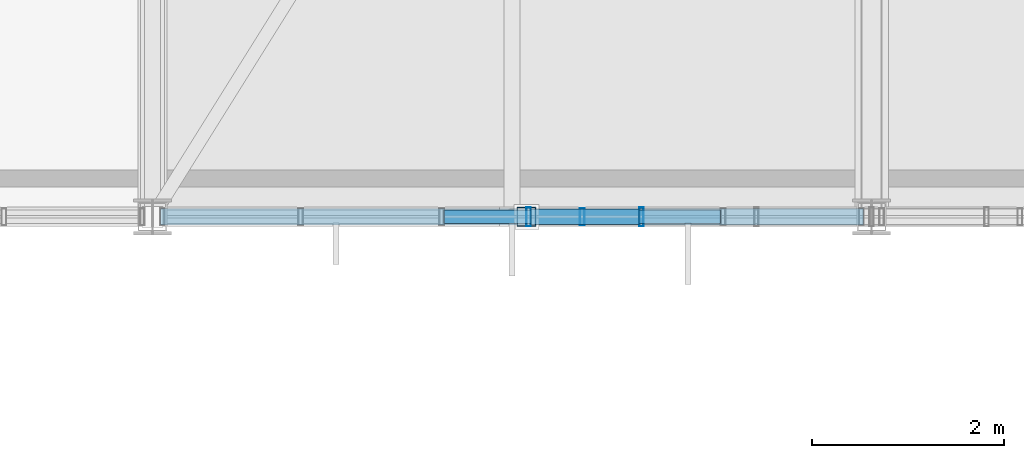
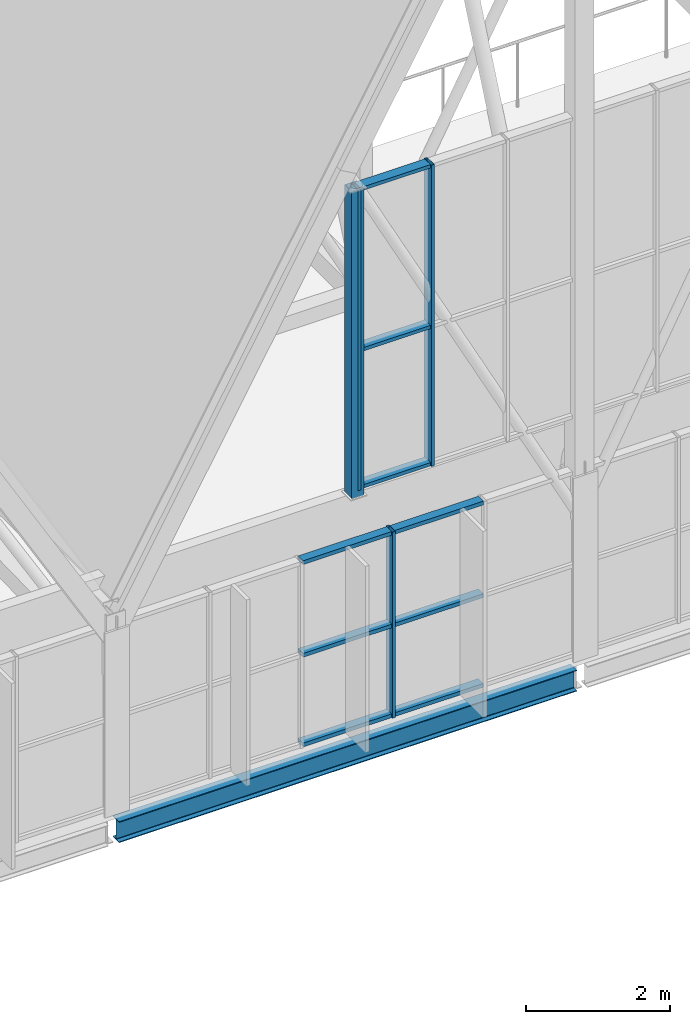
# One storey, part 120 of 324: 13 members, 1 beam, 2 elements without a shape of their own.
"""IFC4 building model written with IfcOpenShell, lengths in metres."""

from ifc_helpers import new_model, si_unit, direction, frame, origin, origin_2d, place, context, subcontext, project, spatial, hollow_rectangle, i_section, extrude, material, layer, layer_set, material_profile, profile_set, type_object, element, aggregate, save


model = new_model("IFC4")

# Units and contexts
model_context = context("Model", 3, precision=1e-05, world=origin(), true_north=direction((0.0, 1.0)))
body_context = subcontext(model_context, "Body", "Model", "MODEL_VIEW")
ifc_project = project(units=[si_unit("LENGTHUNIT", "METRE"), si_unit("AREAUNIT", "SQUARE_METRE"), si_unit("VOLUMEUNIT", "CUBIC_METRE"), si_unit("PLANEANGLEUNIT", "RADIAN"), si_unit("MASSUNIT", "GRAM", prefix="KILO")], contexts=[model_context])

# Site, building, storey
site_placement = place(None, origin())
site = spatial("IfcSite", under=ifc_project, at=site_placement, CompositionType="ELEMENT")
building_placement = place(site_placement, origin())
building = spatial("IfcBuilding", under=site, at=building_placement, Name="Solvenia Promenade Tram Depot", CompositionType="ELEMENT")
storey_placement = place(building_placement, frame((0.0, 0.0, 4.5)))
storey = spatial("IfcBuildingStorey", under=building, at=storey_placement, Name="L01", CompositionType="ELEMENT", Elevation=4.5)

# Curtain wall, member
ifc_material_1 = material(Name="Anodized aluminium AW-6063 T6", Category="aluminium")
ifc_layer_1 = layer(ifc_material_1, 0.159912109375, Name="Anodized aluminium AW-6063 T6", Category="aluminium")
ifc_layer_set_1 = layer_set([ifc_layer_1], Name="Anodized aluminium AW-6063 T6")
curtain_wall_type_1 = type_object("IfcCurtainWallType", Name="CW-Channel-1500", PredefinedType="NOTDEFINED", material=ifc_layer_set_1)
curtain_wall_1_placement = place(storey_placement, origin())
curtain_wall_1 = element("IfcCurtainWall", 1, at=curtain_wall_1_placement, inside=storey, type_object=curtain_wall_type_1, Name="Curtain Wall CW-V1S1-03", PredefinedType="NOTDEFINED")
ifc_material_profile_1 = material_profile(ifc_material_1, hollow_rectangle(XDim=0.179931640625, YDim=0.050048828125, WallThickness=0.00390625, at=origin_2d()), Name="ALU-M2", Category="aluminium")
ifc_profile_set_1 = profile_set([ifc_material_profile_1], Name="Anodized aluminium AW-6063 T6")
member_type_1 = type_object("IfcMemberType", Name="CWM-Mullion-2", PredefinedType="MULLION", material=ifc_profile_set_1)
member_1_placement = place(storey_placement, frame((64.48388671875, 66.0, 0.0), z_axis=(0.0, 0.0, 1.0), x_axis=(0.0, 1.0, 0.0)))
member_1 = element("IfcMember", 2, at=member_1_placement, type_object=member_type_1, Name="CW-2 mullion 4", PredefinedType="MULLION", context=body_context, shape_type="SweptSolid", body=[
    extrude(hollow_rectangle(XDim=0.179931640625, YDim=0.050048828125, WallThickness=0.00390625, at=origin_2d()), origin(), (0.0, 0.0, 1.0), 3.14990234375),
])

# Curtain wall, members
ifc_layer_2 = layer(ifc_material_1, 0.14990234375, Name="Anodized aluminium AW-6063 T6", Category="aluminium")
ifc_layer_set_2 = layer_set([ifc_layer_2], Name="Anodized aluminium AW-6063 T6")
curtain_wall_type_2 = type_object("IfcCurtainWallType", Name="CW-Gable-1200", PredefinedType="NOTDEFINED", material=ifc_layer_set_2)
curtain_wall_2_placement = place(storey_placement, origin())
curtain_wall_2 = element("IfcCurtainWall", 3, at=curtain_wall_2_placement, inside=storey, type_object=curtain_wall_type_2, Name="South Zigzag Gable 05 Peak Glazing", PredefinedType="NOTDEFINED")
ifc_material_profile_2 = material_profile(ifc_material_1, hollow_rectangle(XDim=0.199951171875, YDim=0.048095703125, WallThickness=0.00390625, at=origin_2d()), Name="ALU-M3", Category="aluminium")
ifc_profile_set_2 = profile_set([ifc_material_profile_2], Name="Anodized aluminium AW-6063 T6")
member_type_2 = type_object("IfcMemberType", Name="CWM-Mullion-3", PredefinedType="MULLION", material=ifc_profile_set_2)
member_2_placement = place(storey_placement, frame((63.924072265625, 66.0, 4.050048828125), z_axis=(0.0, 0.0, 1.0), x_axis=(0.0, 1.0, 0.0)))
member_2 = element("IfcMember", 4, at=member_2_placement, type_object=member_type_2, Name="CW-3 mullion 1", PredefinedType="MULLION", context=body_context, shape_type="SweptSolid", body=[
    extrude(hollow_rectangle(XDim=0.199951171875, YDim=0.048095703125, WallThickness=0.00390625, at=origin_2d()), origin(), (0.0, 0.0, 1.0), 5.099853515625),
])
member_3_placement = place(storey_placement, frame((65.10009765625, 66.0, 4.050048828125), z_axis=(0.0, 0.0, 1.0), x_axis=(0.0, 1.0, 0.0)))
member_3 = element("IfcMember", 5, at=member_3_placement, type_object=member_type_2, Name="CW-3 mullion 2", PredefinedType="MULLION", context=body_context, shape_type="SweptSolid", body=[
    extrude(hollow_rectangle(XDim=0.199951171875, YDim=0.048095703125, WallThickness=0.00390625, at=origin_2d()), origin(), (0.0, 0.0, 1.0), 5.099853515625),
])

# Member
ifc_material_profile_3 = material_profile(ifc_material_1, hollow_rectangle(XDim=0.139892578125, YDim=0.06494140625, WallThickness=0.00390625, at=origin_2d()), Name="ALU-T2", Category="aluminium")
ifc_profile_set_3 = profile_set([ifc_material_profile_3], Name="Anodized aluminium AW-6063 T6")
member_type_3 = type_object("IfcMemberType", Name="CWT-Transom-2", PredefinedType="USERDEFINED", material=ifc_profile_set_3)
member_4_placement = place(storey_placement, frame((63.041015625, 66.0, 0.032470703125), z_axis=(1.0, 0.0, 0.0), x_axis=(0.0, 1.0, 0.0)))
member_4 = element("IfcMember", 6, at=member_4_placement, type_object=member_type_3, Name="CW-2 transom 3.1", ObjectType="TRANSOM", PredefinedType="USERDEFINED", context=body_context, shape_type="SweptSolid", body=[
    extrude(hollow_rectangle(XDim=0.139892578125, YDim=0.06494140625, WallThickness=0.00390625, at=origin_2d()), origin(), (0.0, 0.0, 1.0), 1.41796875),
])

member_5_placement = place(storey_placement, frame((63.041015625, 66.0, 1.550048828125), z_axis=(1.0, 0.0, 0.0), x_axis=(0.0, 1.0, 0.0)))
member_5 = element("IfcMember", 7, at=member_5_placement, type_object=member_type_3, Name="CW-2 transom 3.2", ObjectType="TRANSOM", PredefinedType="USERDEFINED", context=body_context, shape_type="SweptSolid", body=[
    extrude(hollow_rectangle(XDim=0.139892578125, YDim=0.06494140625, WallThickness=0.00390625, at=origin_2d()), origin(), (0.0, 0.0, 1.0), 1.41796875),
])

member_6_placement = place(storey_placement, frame((63.041015625, 66.0, 3.117431640625), z_axis=(1.0, 0.0, 0.0), x_axis=(0.0, 1.0, 0.0)))
member_6 = element("IfcMember", 8, at=member_6_placement, type_object=member_type_3, Name="CW-2 transom 3.3", ObjectType="TRANSOM", PredefinedType="USERDEFINED", context=body_context, shape_type="SweptSolid", body=[
    extrude(hollow_rectangle(XDim=0.139892578125, YDim=0.06494140625, WallThickness=0.00390625, at=origin_2d()), origin(), (0.0, 0.0, 1.0), 1.41796875),
])

member_7_placement = place(storey_placement, frame((64.509033203125, 66.0, 0.032470703125), z_axis=(1.0, 0.0, 0.0), x_axis=(0.0, 1.0, 0.0)))
member_7 = element("IfcMember", 9, at=member_7_placement, type_object=member_type_3, Name="CW-2 transom 4.1", ObjectType="TRANSOM", PredefinedType="USERDEFINED", context=body_context, shape_type="SweptSolid", body=[
    extrude(hollow_rectangle(XDim=0.139892578125, YDim=0.06494140625, WallThickness=0.00390625, at=origin_2d()), origin(), (0.0, 0.0, 1.0), 1.41796875),
])

member_8_placement = place(storey_placement, frame((64.509033203125, 66.0, 1.550048828125), z_axis=(1.0, 0.0, 0.0), x_axis=(0.0, 1.0, 0.0)))
member_8 = element("IfcMember", 10, at=member_8_placement, type_object=member_type_3, Name="CW-2 transom 4.2", ObjectType="TRANSOM", PredefinedType="USERDEFINED", context=body_context, shape_type="SweptSolid", body=[
    extrude(hollow_rectangle(XDim=0.139892578125, YDim=0.06494140625, WallThickness=0.00390625, at=origin_2d()), origin(), (0.0, 0.0, 1.0), 1.41796875),
])

member_9_placement = place(storey_placement, frame((64.509033203125, 66.0, 3.117431640625), z_axis=(1.0, 0.0, 0.0), x_axis=(0.0, 1.0, 0.0)))
member_9 = element("IfcMember", 11, at=member_9_placement, type_object=member_type_3, Name="CW-2 transom 4.3", ObjectType="TRANSOM", PredefinedType="USERDEFINED", context=body_context, shape_type="SweptSolid", body=[
    extrude(hollow_rectangle(XDim=0.139892578125, YDim=0.06494140625, WallThickness=0.00390625, at=origin_2d()), origin(), (0.0, 0.0, 1.0), 1.41796875),
])

aggregate(curtain_wall_1, [member_1, member_4, member_5, member_6, member_7, member_8, member_9])

ifc_material_profile_4 = material_profile(ifc_material_1, hollow_rectangle(XDim=0.159912109375, YDim=0.05810546875, WallThickness=0.00390625, at=origin_2d()), Name="ALU-T3", Category="aluminium")
ifc_profile_set_4 = profile_set([ifc_material_profile_4], Name="Anodized aluminium AW-6063 T6")
member_type_4 = type_object("IfcMemberType", Name="CWT-Transom-3", PredefinedType="USERDEFINED", material=ifc_profile_set_4)
member_10_placement = place(storey_placement, frame((63.947998046875, 66.0, 4.0791015625), z_axis=(1.0, 0.0, 0.0), x_axis=(0.0, 1.0, 0.0)))
member_10 = element("IfcMember", 12, at=member_10_placement, type_object=member_type_4, Name="CW-3 transom 1.1", ObjectType="TRANSOM", PredefinedType="USERDEFINED", context=body_context, shape_type="SweptSolid", body=[
    extrude(hollow_rectangle(XDim=0.159912109375, YDim=0.05810546875, WallThickness=0.00390625, at=origin_2d()), origin(), (0.0, 0.0, 1.0), 1.1279296875),
])

member_11_placement = place(storey_placement, frame((63.947998046875, 66.0, 6.39990234375), z_axis=(1.0, 0.0, 0.0), x_axis=(0.0, 1.0, 0.0)))
member_11 = element("IfcMember", 13, at=member_11_placement, type_object=member_type_4, Name="CW-3 transom 1.2", ObjectType="TRANSOM", PredefinedType="USERDEFINED", context=body_context, shape_type="SweptSolid", body=[
    extrude(hollow_rectangle(XDim=0.159912109375, YDim=0.05810546875, WallThickness=0.00390625, at=origin_2d()), origin(), (0.0, 0.0, 1.0), 1.1279296875),
])

member_12_placement = place(storey_placement, frame((63.947998046875, 66.0, 9.12109375), z_axis=(1.0, 0.0, 0.0), x_axis=(0.0, 1.0, 0.0)))
member_12 = element("IfcMember", 14, at=member_12_placement, type_object=member_type_4, Name="CW-3 transom 1.3", ObjectType="TRANSOM", PredefinedType="USERDEFINED", context=body_context, shape_type="SweptSolid", body=[
    extrude(hollow_rectangle(XDim=0.159912109375, YDim=0.05810546875, WallThickness=0.00390625, at=origin_2d()), origin(), (0.0, 0.0, 1.0), 1.1279296875),
])

aggregate(curtain_wall_2, [member_2, member_3, member_10, member_11, member_12])

ifc_material_2 = material(Name="Structural steel ASTM A500 Gr. C", Category="steel")
ifc_material_profile_5 = material_profile(ifc_material_2, hollow_rectangle(XDim=0.199951171875, YDim=0.199951171875, WallThickness=0.010009765625, at=origin_2d()), Name="HSS200x200x10", Category="steel")
ifc_profile_set_5 = profile_set([ifc_material_profile_5], Name="Structural steel ASTM A500 Gr. C")
member_type_5 = type_object("IfcMemberType", Name="Post-HSS200x200x10", PredefinedType="POST", material=ifc_profile_set_5)
member_13_placement = place(storey_placement, frame((63.89990234375, 66.0, 3.949951171875), z_axis=(0.0, 0.0, 1.0), x_axis=(1.0, 0.0, 0.0)))
element("IfcMember", 15, at=member_13_placement, inside=storey, type_object=member_type_5, Name="Gable Curtain-Wall Steel Jamb Post 019", PredefinedType="POST", context=body_context, shape_type="SweptSolid", body=[
    extrude(hollow_rectangle(XDim=0.199951171875, YDim=0.199951171875, WallThickness=0.010009765625, at=origin_2d()), origin(), (0.0, 0.0, 1.0), 5.199951171875),
])

# Beam
ifc_material_3 = material(Name="Structural steel ASTM A992 Gr. 50", Category="steel")
ifc_material_profile_6 = material_profile(ifc_material_3, i_section(OverallWidth=0.172119140625, OverallDepth=0.35791015625, WebThickness=0.0078125, FlangeThickness=0.01318359375, FilletRadius=0.010986328125, at=origin_2d()), Name="W360x57", Category="steel")
ifc_profile_set_6 = profile_set([ifc_material_profile_6], Name="Structural steel ASTM A992 Gr. 50")
beam_type = type_object("IfcBeamType", Name="Spandrel-W360x57", PredefinedType="SPANDREL", material=ifc_profile_set_6)
beam_placement = place(storey_placement, frame((60.0849609375, 66.0, -0.39892578125), z_axis=(1.0, 0.0, 0.0), x_axis=(0.0, 1.0, 0.0)))
element("IfcBeam", 16, at=beam_placement, inside=storey, type_object=beam_type, Name="Perimeter Spandrel BM-L01-0009", PredefinedType="SPANDREL", context=body_context, shape_type="SweptSolid", body=[
    extrude(i_section(OverallWidth=0.172119140625, OverallDepth=0.35791015625, WebThickness=0.0078125, FlangeThickness=0.01318359375, FilletRadius=0.010986328125, at=origin_2d()), origin(), (0.0, 0.0, 1.0), 7.330078125),
])

save(model, "model.ifc")
